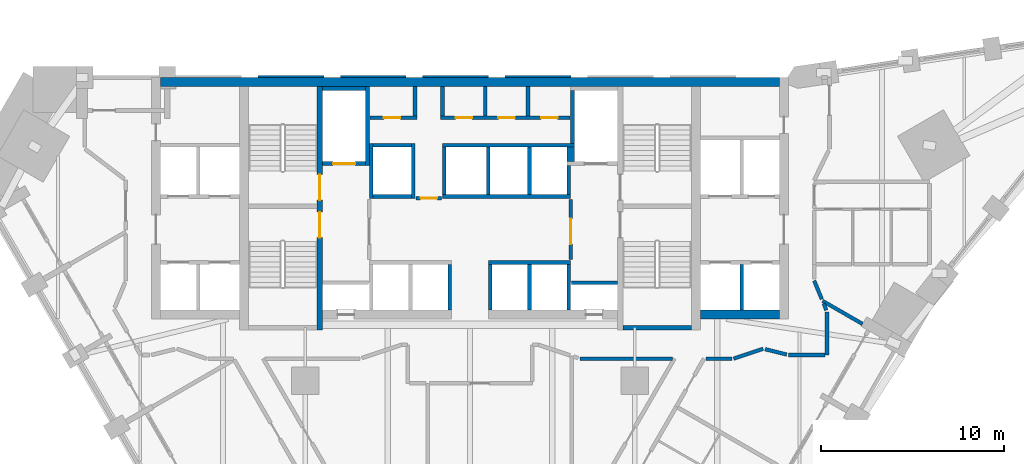
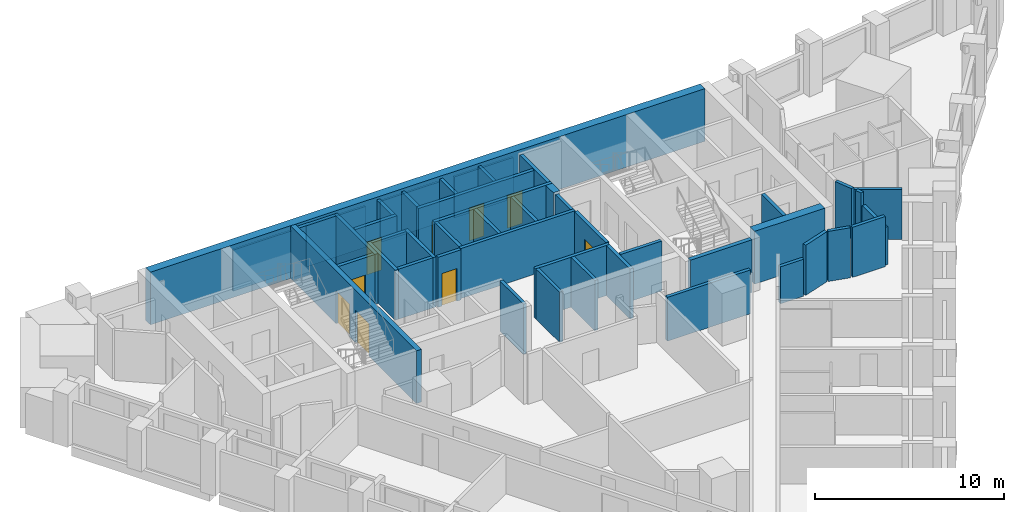
# One storey, part 7 of 11: 47 walls, 9 doors, 9 openings.
"""IFC4 building model written with IfcOpenShell, lengths in metres."""

from ifc_helpers import new_model, si_unit, direction, frame, frame_2d, origin, place, context, subcontext, project, spatial, polyline, rectangle, outline, extrude, material, layer, layer_set, type_object, element, fill, save


model = new_model("IFC4")

# Units and contexts
model_context = context("Model", 3, precision=1e-05, world=origin(), true_north=direction((0.0, 1.0)))
body_context = subcontext(model_context, "Body", "Model", "MODEL_VIEW")
ifc_project = project(units=[si_unit("LENGTHUNIT", "METRE"), si_unit("AREAUNIT", "SQUARE_METRE"), si_unit("VOLUMEUNIT", "CUBIC_METRE"), si_unit("PLANEANGLEUNIT", "RADIAN"), si_unit("MASSUNIT", "GRAM", prefix="KILO")], contexts=[model_context])

# Site, building, storey
site_placement = place(None, origin())
site = spatial("IfcSite", under=ifc_project, at=site_placement, CompositionType="ELEMENT")
building_placement = place(site_placement, origin())
building = spatial("IfcBuilding", under=site, at=building_placement, Name="Calabash Gate Tower", CompositionType="ELEMENT")
storey_placement = place(building_placement, frame((0.0, 0.0, 119.0)))
storey = spatial("IfcBuildingStorey", under=building, at=storey_placement, Name="L27", CompositionType="ELEMENT", Elevation=119.0)

# Walls
ifc_material_1 = material(Name="Gypsum board on steel studs, mineral wool", Category="steel")
ifc_layer_1 = layer(ifc_material_1, 0.199951171875)
ifc_layer_set_1 = layer_set([ifc_layer_1], Name="Core partition 200 gypsum board")
wall_type_1 = type_object("IfcWallType", Name="Core partition 200 gypsum board", PredefinedType="PARTITIONING", material=ifc_layer_set_1)
for number, where, z_axis, x_axis, name in (
    (1, (-3.0, 16.95263671875, 0.0), (0.0, 0.0, 1.0), (0.0, 1.0, 0.0), "Core partition"),
    (2, (-1.5, 16.95263671875, 0.0), (0.0, 0.0, 1.0), (0.0, 1.0, 0.0), "Core partition"),
    (3, (0.833251953125, 16.95263671875, 0.0), (0.0, 0.0, 1.0), (0.0, 1.0, 0.0), "Core partition"),
    (4, (3.166748046875, 16.95263671875, 0.0), (0.0, 0.0, 1.0), (0.0, 1.0, 0.0), "Core partition"),
):
    element("IfcWall", number, at=place(storey_placement, frame(where, z_axis=z_axis, x_axis=x_axis)), inside=storey, type_object=wall_type_1, Name=name, PredefinedType="PARTITIONING", context=body_context, shape_type="SweptSolid", body=[
        extrude(rectangle(XDim=1.599853515625, YDim=0.199951171875, at=frame_2d((0.7998046875, 0.0))), origin(), (0.0, 0.0, 1.0), 3.22998046875),
    ])
ifc_material_2 = material(Name="Concrete C80/95", Category="concrete")
ifc_layer_2 = layer(ifc_material_2, 0.25)
ifc_layer_set_2 = layer_set([ifc_layer_2], Name="Core wall 250 Concrete C80/95")
wall_type_2 = type_object("IfcWallType", Name="Core wall 250 Concrete C80/95", PredefinedType="SHEAR", material=ifc_layer_set_2)
wall_1_placement = place(storey_placement, frame((8.35009765625, 5.377685546875, 0.0), z_axis=(0.0, 0.0, 1.0), x_axis=(1.0, 0.0, 0.0)))
element("IfcWall", 5, at=wall_1_placement, inside=storey, type_object=wall_type_2, Name="Core wall Z2-SSE L27", PredefinedType="SHEAR", context=body_context, shape_type="SweptSolid", body=[
    extrude(rectangle(XDim=3.75, YDim=0.25, at=frame_2d((1.875, 0.0))), origin(), (0.0, 0.0, 1.0), 3.39990234375),
])

# Wall, openings, doors
ifc_material_3 = material(Name="Concrete C80/95", Category="concrete")
ifc_layer_3 = layer(ifc_material_3, 0.300048828125)
ifc_layer_set_3 = layer_set([ifc_layer_3], Name="Core wall 300 Concrete C80/95")
wall_type_3 = type_object("IfcWallType", Name="Core wall 300 Concrete C80/95", PredefinedType="SHEAR", material=ifc_layer_set_3)
wall_2_placement = place(storey_placement, frame((-8.199951171875, 5.252685546875, 0.0), z_axis=(0.0, 0.0, 1.0), x_axis=(0.0, 1.0, 0.0)))
wall_2 = element("IfcWall", 6, at=wall_2_placement, inside=storey, type_object=wall_type_3, Name="Core wall Z2-PARTW L27", PredefinedType="SHEAR", context=body_context, shape_type="SweptSolid", body=[
    extrude(rectangle(XDim=13.2998046875, YDim=0.300048828125, at=frame_2d((6.64990234375, 0.0))), origin(), (0.0, 0.0, 1.0), 3.39990234375),
])
opening_1_placement = place(wall_2_placement, frame((7.10009765625, 0.0, 0.0)))
opening_1 = element("IfcOpeningElement", 7, at=opening_1_placement, cuts=wall_2, Name="Opening H7-014", PredefinedType="OPENING", context=body_context, shape_type="SweptSolid", body=[
    extrude(rectangle(XDim=1.39990234375, YDim=2.10009765625, at=frame_2d((0.699951171875, 1.050048828125))), frame((0.0, 0.159912109375, 0.0), z_axis=(0.0, -1.0, 0.0), x_axis=(1.0, 0.0, 0.0)), (0.0, 0.0, 1.0), 0.320068359375),
])
opening_2_placement = place(wall_2_placement, frame((5.050048828125, 0.0, 0.0)))
opening_2 = element("IfcOpeningElement", 8, at=opening_2_placement, cuts=wall_2, Name="Opening H7-015", PredefinedType="OPENING", context=body_context, shape_type="SweptSolid", body=[
    extrude(rectangle(XDim=1.39990234375, YDim=2.10009765625, at=frame_2d((0.699951171875, 1.050048828125))), frame((0.0, 0.159912109375, 0.0), z_axis=(0.0, -1.0, 0.0), x_axis=(1.0, 0.0, 0.0)), (0.0, 0.0, 1.0), 0.320068359375),
])
ifc_material_4 = material(Name="Steel fire door set with fire-resisting glazing", Category="steel")
door_type_1 = type_object("IfcDoorType", Name="Fire door D05 1400x2100 FD90", OperationType="NOTDEFINED", PredefinedType="DOOR", material=ifc_material_4)
door_1_placement = place(opening_1_placement, origin())
door_1 = element("IfcDoor", 9, at=door_1_placement, inside=storey, type_object=door_type_1, Name="Exit stair door ST1", OperationType="SINGLE_SWING_LEFT", OverallHeight=2.10009765625, OverallWidth=1.39990234375, PredefinedType="DOOR", context=body_context, shape_type="SweptSolid", body=[
    extrude(rectangle(XDim=1.39990234375, YDim=2.10009765625, at=frame_2d((0.699951171875, 1.050048828125))), frame((0.0, 0.02490234375, 0.0), z_axis=(0.0, -1.0, 0.0), x_axis=(1.0, 0.0, 0.0)), (0.0, 0.0, 1.0), 0.050048828125),
])
fill(opening_1, door_1)
door_2_placement = place(opening_2_placement, origin())
door_2 = element("IfcDoor", 10, at=door_2_placement, inside=storey, type_object=door_type_1, Name="Exit stair door ST2", OperationType="SINGLE_SWING_LEFT", OverallHeight=2.10009765625, OverallWidth=1.39990234375, PredefinedType="DOOR", context=body_context, shape_type="SweptSolid", body=[
    extrude(rectangle(XDim=1.39990234375, YDim=2.10009765625, at=frame_2d((0.699951171875, 1.050048828125))), frame((0.0, 0.02490234375, 0.0), z_axis=(0.0, -1.0, 0.0), x_axis=(1.0, 0.0, 0.0)), (0.0, 0.0, 1.0), 0.050048828125),
])
fill(opening_2, door_2)

# Walls
ifc_material_5 = material(Name="Concrete C80/95", Category="concrete")
ifc_layer_4 = layer(ifc_material_5, 0.5)
ifc_layer_set_4 = layer_set([ifc_layer_4], Name="Core wall 500 Concrete C80/95")
wall_type_4 = type_object("IfcWallType", Name="Core wall 500 Concrete C80/95", PredefinedType="SHEAR", material=ifc_layer_set_4)
wall_3_placement = place(storey_placement, frame((-16.89990234375, 18.802490234375, 0.0), z_axis=(0.0, 0.0, 1.0), x_axis=(1.0, 0.0, 0.0)))
element("IfcWall", 11, at=wall_3_placement, inside=storey, type_object=wall_type_4, Name="Core wall Z2-N L27", PredefinedType="SHEAR", context=body_context, shape_type="SweptSolid", body=[
    extrude(rectangle(XDim=33.7998046875, YDim=0.5, at=frame_2d((16.89990234375, 0.0))), origin(), (0.0, 0.0, 1.0), 3.39990234375),
])
wall_4_placement = place(storey_placement, frame((12.60009765625, 6.1025390625, 0.0), z_axis=(0.0, 0.0, 1.0), x_axis=(1.0, 0.0, 0.0)))
element("IfcWall", 12, at=wall_4_placement, inside=storey, type_object=wall_type_4, Name="Core wall Z2-SE L27", PredefinedType="SHEAR", context=body_context, shape_type="SweptSolid", body=[
    extrude(rectangle(XDim=4.2998046875, YDim=0.5, at=frame_2d((2.14990234375, 0.0))), origin(), (0.0, 0.0, 1.0), 3.39990234375),
])
ifc_material_6 = material(Name="Gypsum board on steel studs, mineral wool", Category="steel")
ifc_layer_5 = layer(ifc_material_6, 0.199951171875)
ifc_layer_set_5 = layer_set([ifc_layer_5], Name="Partition 200 gypsum board EI 60")
wall_type_5 = type_object("IfcWallType", Name="Partition 200 gypsum board EI 60", PredefinedType="PARTITIONING", material=ifc_layer_set_5)
wall_5_placement = place(storey_placement, frame((6.0, 3.69970703125, 0.0), z_axis=(0.0, 0.0, 1.0), x_axis=(1.0, 0.0, 0.0)))
element("IfcWall", 13, at=wall_5_placement, inside=storey, type_object=wall_type_5, Name="Partition", PredefinedType="PARTITIONING", context=body_context, shape_type="SweptSolid", body=[
    extrude(rectangle(XDim=5.064697265625, YDim=0.199951171875, at=frame_2d((2.5322265625, 0.0))), origin(), (0.0, 0.0, 1.0), 2.83154296875),
])
wall_6_placement = place(storey_placement, frame((12.8818359375, 3.699462890625, 0.0), z_axis=(0.0, 0.0, 1.0), x_axis=(1.0, 0.0, 0.0)))
element("IfcWall", 14, at=wall_6_placement, inside=storey, type_object=wall_type_5, Name="Partition", PredefinedType="PARTITIONING", context=body_context, shape_type="SweptSolid", body=[
    extrude(rectangle(XDim=1.418212890625, YDim=0.199951171875, at=frame_2d((0.708984375, 0.0))), origin(), (0.0, 0.0, 1.0), 2.384033203125),
])
wall_7_placement = place(storey_placement, frame((17.39990234375, 3.8994140625, 0.0), z_axis=(0.0, 0.0, 1.0), x_axis=(0.999999992551, 0.000122055412, 0.0)))
element("IfcWall", 15, at=wall_7_placement, inside=storey, type_object=wall_type_5, Name="Partition", PredefinedType="PARTITIONING", context=body_context, shape_type="SweptSolid", body=[
    extrude(rectangle(XDim=2.000244140625, YDim=0.199951171875, at=frame_2d((1.0, 0.0))), origin(), (0.0, 0.0, 1.0), 3.22998046875),
])
wall_8_placement = place(storey_placement, frame((16.11328125, 4.21435546875, 0.0), z_axis=(0.0, 0.0, 1.0), x_axis=(0.971349931971, -0.237653760039, 0.0)))
element("IfcWall", 16, at=wall_8_placement, inside=storey, type_object=wall_type_5, Name="Partition", PredefinedType="PARTITIONING", context=body_context, shape_type="SweptSolid", body=[
    extrude(rectangle(XDim=1.224609375, YDim=0.199951171875, at=frame_2d((0.6123046875, 0.0))), origin(), (0.0, 0.0, 1.0), 3.22998046875),
])
wall_9_placement = place(storey_placement, frame((14.400146484375, 3.699462890625, 0.0), z_axis=(0.0, 0.0, 1.0), x_axis=(0.948654629562, 0.31631375849, 0.0)))
element("IfcWall", 17, at=wall_9_placement, inside=storey, type_object=wall_type_5, Name="Partition", PredefinedType="PARTITIONING", context=body_context, shape_type="SweptSolid", body=[
    extrude(rectangle(XDim=1.703369140625, YDim=0.199951171875, at=frame_2d((0.8515625, 0.0))), origin(), (0.0, 0.0, 1.0), 3.22998046875),
])
wall_10_placement = place(storey_placement, frame((19.25537109375, 6.85205078125, 0.0), z_axis=(0.0, 0.0, 1.0), x_axis=(0.866364592695, -0.499412046835, 0.0)))
element("IfcWall", 18, at=wall_10_placement, inside=storey, type_object=wall_type_5, Name="Partition", PredefinedType="PARTITIONING", context=body_context, shape_type="SweptSolid", body=[
    extrude(rectangle(XDim=2.51953125, YDim=0.199951171875, at=frame_2d((1.259765625, 0.0))), origin(), (0.0, 0.0, 1.0), 3.22998046875),
])
wall_11_placement = place(storey_placement, frame((19.500244140625, 3.899658203125, 0.0), z_axis=(0.0, 0.0, 1.0), x_axis=(0.000103755965, 0.999999994617, 0.0)))
element("IfcWall", 19, at=wall_11_placement, inside=storey, type_object=wall_type_5, Name="Partition", PredefinedType="PARTITIONING", context=body_context, shape_type="SweptSolid", body=[
    extrude(rectangle(XDim=2.35302734375, YDim=0.199951171875, at=frame_2d((1.176513671875, 0.0))), origin(), (0.0, 0.0, 1.0), 2.4501953125),
])
wall_12_placement = place(storey_placement, frame((19.317138671875, 6.700927734375, 0.0), z_axis=(0.0, 0.0, 1.0), x_axis=(0.378608110245, -0.925557074878, 0.0)))
element("IfcWall", 20, at=wall_12_placement, inside=storey, type_object=wall_type_5, Name="Partition", PredefinedType="PARTITIONING", context=body_context, shape_type="SweptSolid", body=[
    extrude(rectangle(XDim=0.38427734375, YDim=0.199951171875, at=frame_2d((0.192138671875, 0.0))), origin(), (0.0, 0.0, 1.0), 3.22998046875),
])
wall_13_placement = place(storey_placement, frame((18.800537109375, 7.95263671875, 0.0), z_axis=(0.0, 0.0, 1.0), x_axis=(0.381856038323, -0.924221816447, 0.0)))
element("IfcWall", 21, at=wall_13_placement, inside=storey, type_object=wall_type_5, Name="Partition", PredefinedType="PARTITIONING", context=body_context, shape_type="SweptSolid", body=[
    extrude(rectangle(XDim=1.087646484375, YDim=0.199951171875, at=frame_2d((0.5439453125, 0.0))), origin(), (0.0, 0.0, 1.0), 3.22998046875),
])
ifc_material_7 = material(Name="Concrete C40/50", Category="concrete")
ifc_layer_6 = layer(ifc_material_7, 0.199951171875)
ifc_layer_set_6 = layer_set([ifc_layer_6], Name="Shaft wall 200 Concrete C40/50")
wall_type_6 = type_object("IfcWallType", Name="Shaft wall 200 Concrete C40/50", PredefinedType="SOLIDWALL", material=ifc_layer_set_6)
for number, where, z_axis, x_axis, name in (
    (22, (-1.10009765625, 6.3525390625, 0.0), (0.0, 0.0, 1.0), (0.0, 1.0, 0.0), "Shaft wall"),
    (23, (1.10009765625, 6.3525390625, 0.0), (0.0, 0.0, 1.0), (0.0, 1.0, 0.0), "Shaft wall"),
    (24, (3.25, 6.3525390625, 0.0), (0.0, 0.0, 1.0), (0.0, 1.0, 0.0), "Shaft wall"),
    (25, (5.39990234375, 6.3525390625, 0.0), (0.0, 0.0, 1.0), (0.0, 1.0, 0.0), "Shaft wall"),
    (26, (14.85009765625, 6.3525390625, 0.0), (0.0, 0.0, 1.0), (0.0, 1.0, 0.0), "Shaft wall"),
    (27, (5.550048828125, 7.8525390625, 0.0), (0.0, 0.0, 1.0), (1.0, 0.0, 0.0), "Shaft wall"),
):
    element("IfcWall", number, at=place(storey_placement, frame(where, z_axis=z_axis, x_axis=x_axis)), inside=storey, type_object=wall_type_6, Name=name, PredefinedType="SOLIDWALL", context=body_context, shape_type="SweptSolid", body=[
        extrude(rectangle(XDim=2.5, YDim=0.199951171875, at=frame_2d((1.25, 0.0))), origin(), (0.0, 0.0, 1.0), 3.22998046875),
    ])
wall_14_placement = place(storey_placement, frame((1.0, 8.95263671875, 0.0), z_axis=(0.0, 0.0, 1.0), x_axis=(1.0, 0.0, 0.0)))
element("IfcWall", 28, at=wall_14_placement, inside=storey, type_object=wall_type_6, Name="Shaft wall", PredefinedType="SOLIDWALL", context=body_context, shape_type="SweptSolid", body=[
    extrude(rectangle(XDim=4.5, YDim=0.199951171875, at=frame_2d((2.25, 0.0))), origin(), (0.0, 0.0, 1.0), 3.22998046875),
])

# Wall, opening, door
wall_15_placement = place(storey_placement, frame((5.5, 9.1025390625, 0.0), z_axis=(0.0, 0.0, 1.0), x_axis=(0.0, 1.0, 0.0)))
wall_15 = element("IfcWall", 29, at=wall_15_placement, inside=storey, type_object=wall_type_6, Name="Shaft wall", PredefinedType="SOLIDWALL", context=body_context, shape_type="SweptSolid", body=[
    extrude(rectangle(XDim=3.300048828125, YDim=0.199951171875, at=frame_2d((1.64990234375, 0.0))), origin(), (0.0, 0.0, 1.0), 3.22998046875),
])
opening_3_placement = place(wall_15_placement, frame((0.85009765625, 0.0, 0.0)))
opening_3 = element("IfcOpeningElement", 30, at=opening_3_placement, cuts=wall_15, Name="Opening H7-006", PredefinedType="OPENING", context=body_context, shape_type="SweptSolid", body=[
    extrude(rectangle(XDim=1.39990234375, YDim=2.10009765625, at=frame_2d((0.699951171875, 1.050048828125))), frame((0.0, 0.10986328125, 0.0), z_axis=(0.0, -1.0, 0.0), x_axis=(1.0, 0.0, 0.0)), (0.0, 0.0, 1.0), 0.219970703125),
])
door_3_placement = place(opening_3_placement, origin())
door_3 = element("IfcDoor", 31, at=door_3_placement, inside=storey, type_object=door_type_1, Name="Firefighting Lobby E door", OperationType="SINGLE_SWING_LEFT", OverallHeight=2.10009765625, OverallWidth=1.39990234375, PredefinedType="DOOR", context=body_context, shape_type="SweptSolid", body=[
    extrude(rectangle(XDim=1.39990234375, YDim=2.10009765625, at=frame_2d((0.699951171875, 1.050048828125))), frame((0.0, 0.02490234375, 0.0), z_axis=(0.0, -1.0, 0.0), x_axis=(1.0, 0.0, 0.0)), (0.0, 0.0, 1.0), 0.050048828125),
])
fill(opening_3, door_3)

wall_16_placement = place(storey_placement, frame((-2.949951171875, 12.45263671875, 0.0), z_axis=(0.0, 0.0, 1.0), x_axis=(1.0, 0.0, 0.0)))
wall_16 = element("IfcWall", 32, at=wall_16_placement, inside=storey, type_object=wall_type_6, Name="Shaft wall", PredefinedType="SOLIDWALL", context=body_context, shape_type="SweptSolid", body=[
    extrude(rectangle(XDim=1.39990234375, YDim=0.199951171875, at=frame_2d((0.699951171875, 0.0))), origin(), (0.0, 0.0, 1.0), 3.22998046875),
])
opening_4_placement = place(wall_16_placement, frame((0.25, 0.0, 0.0)))
opening_4 = element("IfcOpeningElement", 33, at=opening_4_placement, cuts=wall_16, Name="Opening H7-005", PredefinedType="OPENING", context=body_context, shape_type="SweptSolid", body=[
    extrude(rectangle(XDim=0.89990234375, YDim=2.10009765625, at=frame_2d((0.449951171875, 1.050048828125))), frame((0.0, 0.10986328125, 0.0), z_axis=(0.0, -1.0, 0.0), x_axis=(1.0, 0.0, 0.0)), (0.0, 0.0, 1.0), 0.219970703125),
])
ifc_material_8 = material(Name="Steel fire door set with fire-resisting glazing", Category="steel")
door_type_2 = type_object("IfcDoorType", Name="Fire door D06 900x2100 FD60", OperationType="NOTDEFINED", PredefinedType="DOOR", material=ifc_material_8)
door_4_placement = place(opening_4_placement, origin())
door_4 = element("IfcDoor", 34, at=door_4_placement, inside=storey, type_object=door_type_2, Name="Service Corridor door", OperationType="SINGLE_SWING_RIGHT", OverallHeight=2.10009765625, OverallWidth=0.89990234375, PredefinedType="DOOR", context=body_context, shape_type="SweptSolid", body=[
    extrude(rectangle(XDim=0.89990234375, YDim=2.10009765625, at=frame_2d((0.449951171875, 1.050048828125))), frame((0.0, 0.02490234375, 0.0), z_axis=(0.0, -1.0, 0.0), x_axis=(1.0, 0.0, 0.0)), (0.0, 0.0, 1.0), 0.050048828125),
])
fill(opening_4, door_4)

# Walls
wall_17_placement = place(storey_placement, frame((-5.39990234375, 12.45263671875, 0.0), z_axis=(0.0, 0.0, 1.0), x_axis=(0.0, 1.0, 0.0)))
element("IfcWall", 35, at=wall_17_placement, inside=storey, type_object=wall_type_6, Name="Shaft wall", PredefinedType="SOLIDWALL", context=body_context, shape_type="SweptSolid", body=[
    extrude(rectangle(XDim=3.0, YDim=0.199951171875, at=frame_2d((1.5, 0.0))), origin(), (0.0, 0.0, 1.0), 3.22998046875),
])
wall_18_placement = place(storey_placement, frame((-5.300048828125, 12.552490234375, 0.0), z_axis=(0.0, 0.0, 1.0), x_axis=(1.0, 0.0, 0.0)))
element("IfcWall", 36, at=wall_18_placement, inside=storey, type_object=wall_type_6, Name="Shaft wall", PredefinedType="SOLIDWALL", context=body_context, shape_type="SweptSolid", body=[
    extrude(rectangle(XDim=2.10009765625, YDim=0.199951171875, at=frame_2d((1.050048828125, 0.0))), origin(), (0.0, 0.0, 1.0), 3.22998046875),
])
wall_19_placement = place(storey_placement, frame((-3.10009765625, 12.45263671875, 0.0), z_axis=(0.0, 0.0, 1.0), x_axis=(0.0, 1.0, 0.0)))
element("IfcWall", 37, at=wall_19_placement, inside=storey, type_object=wall_type_6, Name="Shaft wall", PredefinedType="SOLIDWALL", context=body_context, shape_type="SweptSolid", body=[
    extrude(rectangle(XDim=3.0, YDim=0.199951171875, at=frame_2d((1.5, 0.0))), origin(), (0.0, 0.0, 1.0), 3.22998046875),
])
wall_20_placement = place(storey_placement, frame((-1.5, 12.552490234375, 0.0), z_axis=(0.0, 0.0, 1.0), x_axis=(1.0, 0.0, 0.0)))
element("IfcWall", 38, at=wall_20_placement, inside=storey, type_object=wall_type_6, Name="Shaft wall", PredefinedType="SOLIDWALL", context=body_context, shape_type="SweptSolid", body=[
    extrude(rectangle(XDim=7.0, YDim=0.199951171875, at=frame_2d((3.5, 0.0))), origin(), (0.0, 0.0, 1.0), 3.22998046875),
])
for number, where, z_axis, x_axis, name in (
    (39, (-1.39990234375, 12.652587890625, 0.0), (0.0, 0.0, 1.0), (0.0, 1.0, 0.0), "Shaft wall"),
    (40, (1.0, 12.652587890625, 0.0), (0.0, 0.0, 1.0), (0.0, 1.0, 0.0), "Shaft wall"),
    (41, (3.25, 12.652587890625, 0.0), (0.0, 0.0, 1.0), (0.0, 1.0, 0.0), "Shaft wall"),
):
    element("IfcWall", number, at=place(storey_placement, frame(where, z_axis=z_axis, x_axis=x_axis)), inside=storey, type_object=wall_type_6, Name=name, PredefinedType="SOLIDWALL", context=body_context, shape_type="SweptSolid", body=[
        extrude(rectangle(XDim=2.60009765625, YDim=0.199951171875, at=frame_2d((1.300048828125, 0.0))), origin(), (0.0, 0.0, 1.0), 3.22998046875),
    ])
wall_21_placement = place(storey_placement, frame((5.39990234375, 12.652587890625, 0.0), z_axis=(0.0, 0.0, 1.0), x_axis=(0.0, 1.0, 0.0)))
element("IfcWall", 42, at=wall_21_placement, inside=storey, type_object=wall_type_6, Name="Shaft wall", PredefinedType="SOLIDWALL", context=body_context, shape_type="SweptSolid", body=[
    extrude(rectangle(XDim=1.60009765625, YDim=0.199951171875, at=frame_2d((0.800048828125, 0.0))), origin(), (0.0, 0.0, 1.0), 3.22998046875),
])

# Wall, opening, door
wall_22_placement = place(storey_placement, frame((-8.050048828125, 14.3525390625, 0.0), z_axis=(0.0, 0.0, 1.0), x_axis=(1.0, 0.0, 0.0)))
wall_22 = element("IfcWall", 43, at=wall_22_placement, inside=storey, type_object=wall_type_6, Name="Shaft wall", PredefinedType="SOLIDWALL", context=body_context, shape_type="SweptSolid", body=[
    extrude(rectangle(XDim=2.35009765625, YDim=0.199951171875, at=frame_2d((1.175048828125, 0.0))), origin(), (0.0, 0.0, 1.0), 3.22998046875),
])
opening_5_placement = place(wall_22_placement, frame((0.574951171875, 0.0, 0.0)))
opening_5 = element("IfcOpeningElement", 44, at=opening_5_placement, cuts=wall_22, Name="Opening LD-FF1", PredefinedType="OPENING", context=body_context, shape_type="SweptSolid", body=[
    extrude(rectangle(XDim=1.199951171875, YDim=2.10009765625, at=frame_2d((0.60009765625, 1.050048828125))), frame((0.0, 0.10986328125, 0.0), z_axis=(0.0, -1.0, 0.0), x_axis=(1.0, 0.0, 0.0)), (0.0, 0.0, 1.0), 0.219970703125),
])
ifc_material_9 = material(Name="Stainless steel sliding door leaves", Category="steel")
door_type_3 = type_object("IfcDoorType", Name="Lift landing door LS3 1200x2100 FD90", OperationType="DOUBLE_DOOR_SLIDING", PredefinedType="DOOR", material=ifc_material_9)
door_5_placement = place(opening_5_placement, origin())
door_5 = element("IfcDoor", 45, at=door_5_placement, inside=storey, type_object=door_type_3, Name="Lift landing door FF1", OperationType="DOUBLE_DOOR_SLIDING", OverallHeight=2.10009765625, OverallWidth=1.199951171875, PredefinedType="DOOR", context=body_context, shape_type="SweptSolid", body=[
    extrude(rectangle(XDim=1.199951171875, YDim=2.10009765625, at=frame_2d((0.60009765625, 1.050048828125))), frame((0.0, 0.02490234375, 0.0), z_axis=(0.0, -1.0, 0.0), x_axis=(1.0, 0.0, 0.0)), (0.0, 0.0, 1.0), 0.050048828125),
])
fill(opening_5, door_5)

# Walls
wall_23_placement = place(storey_placement, frame((-5.60009765625, 14.252685546875, 0.0), z_axis=(0.0, 0.0, 1.0), x_axis=(0.0, 1.0, 0.0)))
element("IfcWall", 46, at=wall_23_placement, inside=storey, type_object=wall_type_6, Name="Shaft wall", PredefinedType="SOLIDWALL", context=body_context, shape_type="SweptSolid", body=[
    extrude(rectangle(XDim=4.2998046875, YDim=0.199951171875, at=frame_2d((2.14990234375, 0.0))), origin(), (0.0, 0.0, 1.0), 3.22998046875),
])
wall_24_placement = place(storey_placement, frame((5.5, 14.45263671875, 0.0), z_axis=(0.0, 0.0, 1.0), x_axis=(0.0, 1.0, 0.0)))
element("IfcWall", 47, at=wall_24_placement, inside=storey, type_object=wall_type_6, Name="Shaft wall", PredefinedType="SOLIDWALL", context=body_context, shape_type="SweptSolid", body=[
    extrude(rectangle(XDim=0.800048828125, YDim=0.39990234375, at=frame_2d((0.39990234375, 0.0))), origin(), (0.0, 0.0, 1.0), 3.22998046875),
])
wall_25_placement = place(storey_placement, frame((-5.300048828125, 15.3525390625, 0.0), z_axis=(0.0, 0.0, 1.0), x_axis=(1.0, 0.0, 0.0)))
element("IfcWall", 48, at=wall_25_placement, inside=storey, type_object=wall_type_6, Name="Shaft wall", PredefinedType="SOLIDWALL", context=body_context, shape_type="SweptSolid", body=[
    extrude(rectangle(XDim=2.10009765625, YDim=0.199951171875, at=frame_2d((1.050048828125, 0.0))), origin(), (0.0, 0.0, 1.0), 3.22998046875),
])
wall_26_placement = place(storey_placement, frame((-1.5, 15.3525390625, 0.0), z_axis=(0.0, 0.0, 1.0), x_axis=(1.0, 0.0, 0.0)))
element("IfcWall", 49, at=wall_26_placement, inside=storey, type_object=wall_type_6, Name="Shaft wall", PredefinedType="SOLIDWALL", context=body_context, shape_type="SweptSolid", body=[
    extrude(rectangle(XDim=7.199951171875, YDim=0.199951171875, at=frame_2d((3.60009765625, 0.0))), origin(), (0.0, 0.0, 1.0), 3.22998046875),
])
wall_27_placement = place(storey_placement, frame((5.60009765625, 15.45263671875, 0.0), z_axis=(0.0, 0.0, 1.0), x_axis=(0.0, 1.0, 0.0)))
element("IfcWall", 50, at=wall_27_placement, inside=storey, type_object=wall_type_6, Name="Shaft wall", PredefinedType="SOLIDWALL", context=body_context, shape_type="SweptSolid", body=[
    extrude(rectangle(XDim=2.89990234375, YDim=0.199951171875, at=frame_2d((1.449951171875, 0.0))), origin(), (0.0, 0.0, 1.0), 3.22998046875),
])

# Wall, opening, door
wall_28_placement = place(storey_placement, frame((-5.449951171875, 16.8525390625, 0.0), z_axis=(0.0, 0.0, 1.0), x_axis=(1.0, 0.0, 0.0)))
wall_28 = element("IfcWall", 51, at=wall_28_placement, inside=storey, type_object=wall_type_6, Name="Shaft wall", PredefinedType="SOLIDWALL", context=body_context, shape_type="SweptSolid", body=[
    extrude(rectangle(XDim=2.550048828125, YDim=0.199951171875, at=frame_2d((1.27490234375, 0.0))), origin(), (0.0, 0.0, 1.0), 3.22998046875),
])
opening_6_placement = place(wall_28_placement, frame((0.75, 0.0, 0.0)))
opening_6 = element("IfcOpeningElement", 52, at=opening_6_placement, cuts=wall_28, Name="Opening H7-008", PredefinedType="OPENING", context=body_context, shape_type="SweptSolid", body=[
    extrude(rectangle(XDim=0.89990234375, YDim=2.10009765625, at=frame_2d((0.449951171875, 1.050048828125))), frame((0.0, 0.10986328125, 0.0), z_axis=(0.0, -1.0, 0.0), x_axis=(1.0, 0.0, 0.0)), (0.0, 0.0, 1.0), 0.219970703125),
])
door_6_placement = place(opening_6_placement, origin())
door_6 = element("IfcDoor", 53, at=door_6_placement, inside=storey, type_object=door_type_2, Name="Housekeeping Store door", OperationType="SINGLE_SWING_LEFT", OverallHeight=2.10009765625, OverallWidth=0.89990234375, PredefinedType="DOOR", context=body_context, shape_type="SweptSolid", body=[
    extrude(rectangle(XDim=0.89990234375, YDim=2.10009765625, at=frame_2d((0.449951171875, 1.050048828125))), frame((0.0, 0.02490234375, 0.0), z_axis=(0.0, -1.0, 0.0), x_axis=(1.0, 0.0, 0.0)), (0.0, 0.0, 1.0), 0.050048828125),
])
fill(opening_6, door_6)

# Wall, openings, doors
wall_29_placement = place(storey_placement, frame((-1.60009765625, 16.8525390625, 0.0), z_axis=(0.0, 0.0, 1.0), x_axis=(1.0, 0.0, 0.0)))
wall_29 = element("IfcWall", 54, at=wall_29_placement, inside=storey, type_object=wall_type_6, Name="Shaft wall", PredefinedType="SOLIDWALL", context=body_context, shape_type="SweptSolid", body=[
    extrude(rectangle(XDim=7.050048828125, YDim=0.199951171875, at=frame_2d((3.52490234375, 0.0))), origin(), (0.0, 0.0, 1.0), 3.22998046875),
])
opening_7_placement = place(wall_29_placement, frame((0.816650390625, 0.0, 0.0)))
opening_7 = element("IfcOpeningElement", 55, at=opening_7_placement, cuts=wall_29, Name="Opening H7-009", PredefinedType="OPENING", context=body_context, shape_type="SweptSolid", body=[
    extrude(rectangle(XDim=0.89990234375, YDim=2.10009765625, at=frame_2d((0.449951171875, 1.050048828125))), frame((0.0, 0.10986328125, 0.0), z_axis=(0.0, -1.0, 0.0), x_axis=(1.0, 0.0, 0.0)), (0.0, 0.0, 1.0), 0.219970703125),
])
opening_8_placement = place(wall_29_placement, frame((3.14990234375, 0.0, 0.0)))
opening_8 = element("IfcOpeningElement", 56, at=opening_8_placement, cuts=wall_29, Name="Opening H7-010", PredefinedType="OPENING", context=body_context, shape_type="SweptSolid", body=[
    extrude(rectangle(XDim=0.89990234375, YDim=2.10009765625, at=frame_2d((0.449951171875, 1.050048828125))), frame((0.0, 0.10986328125, 0.0), z_axis=(0.0, -1.0, 0.0), x_axis=(1.0, 0.0, 0.0)), (0.0, 0.0, 1.0), 0.219970703125),
])
opening_9_placement = place(wall_29_placement, frame((5.4833984375, 0.0, 0.0)))
opening_9 = element("IfcOpeningElement", 57, at=opening_9_placement, cuts=wall_29, Name="Opening H7-011", PredefinedType="OPENING", context=body_context, shape_type="SweptSolid", body=[
    extrude(rectangle(XDim=0.89990234375, YDim=2.10009765625, at=frame_2d((0.449951171875, 1.050048828125))), frame((0.0, 0.10986328125, 0.0), z_axis=(0.0, -1.0, 0.0), x_axis=(1.0, 0.0, 0.0)), (0.0, 0.0, 1.0), 0.219970703125),
])
door_7_placement = place(opening_7_placement, origin())
door_7 = element("IfcDoor", 58, at=door_7_placement, inside=storey, type_object=door_type_2, Name="Linen Store door", OperationType="SINGLE_SWING_LEFT", OverallHeight=2.10009765625, OverallWidth=0.89990234375, PredefinedType="DOOR", context=body_context, shape_type="SweptSolid", body=[
    extrude(rectangle(XDim=0.89990234375, YDim=2.10009765625, at=frame_2d((0.449951171875, 1.050048828125))), frame((0.0, 0.02490234375, 0.0), z_axis=(0.0, -1.0, 0.0), x_axis=(1.0, 0.0, 0.0)), (0.0, 0.0, 1.0), 0.050048828125),
])
fill(opening_7, door_7)
door_8_placement = place(opening_8_placement, origin())
door_8 = element("IfcDoor", 59, at=door_8_placement, inside=storey, type_object=door_type_2, Name="Ice and Vending door", OperationType="SINGLE_SWING_LEFT", OverallHeight=2.10009765625, OverallWidth=0.89990234375, PredefinedType="DOOR", context=body_context, shape_type="SweptSolid", body=[
    extrude(rectangle(XDim=0.89990234375, YDim=2.10009765625, at=frame_2d((0.449951171875, 1.050048828125))), frame((0.0, 0.02490234375, 0.0), z_axis=(0.0, -1.0, 0.0), x_axis=(1.0, 0.0, 0.0)), (0.0, 0.0, 1.0), 0.050048828125),
])
fill(opening_8, door_8)
door_9_placement = place(opening_9_placement, origin())
door_9 = element("IfcDoor", 60, at=door_9_placement, inside=storey, type_object=door_type_2, Name="Cleaner's Store door", OperationType="SINGLE_SWING_RIGHT", OverallHeight=2.10009765625, OverallWidth=0.89990234375, PredefinedType="DOOR", context=body_context, shape_type="SweptSolid", body=[
    extrude(rectangle(XDim=0.89990234375, YDim=2.10009765625, at=frame_2d((0.449951171875, 1.050048828125))), frame((0.0, 0.02490234375, 0.0), z_axis=(0.0, -1.0, 0.0), x_axis=(1.0, 0.0, 0.0)), (0.0, 0.0, 1.0), 0.050048828125),
])
fill(opening_9, door_9)

# Walls
wall_30_placement = place(storey_placement, frame((-8.050048828125, 18.45263671875, 0.0), z_axis=(0.0, 0.0, 1.0), x_axis=(1.0, 0.0, 0.0)))
element("IfcWall", 61, at=wall_30_placement, inside=storey, type_object=wall_type_6, Name="Shaft wall", PredefinedType="SOLIDWALL", context=body_context, shape_type="SweptSolid", body=[
    extrude(rectangle(XDim=2.35009765625, YDim=0.199951171875, at=frame_2d((1.175048828125, 0.0))), origin(), (0.0, 0.0, 1.0), 3.22998046875),
])
ifc_material_10 = material(Name="Terracotta brick masonry, perforated", Category="masonry")
ifc_layer_7 = layer(ifc_material_10, 0.1201171875)
ifc_layer_set_7 = layer_set([ifc_layer_7], Name="Terracotta jaali cladding A 120")
wall_type_7 = type_object("IfcWallType", Name="Terracotta jaali cladding A 120", PredefinedType="SOLIDWALL", material=ifc_layer_set_7)
wall_31_placement = place(storey_placement, origin())
element("IfcWall", 62, at=wall_31_placement, inside=storey, type_object=wall_type_7, Name="Jaali cladding S07 N6.3", PredefinedType="SOLIDWALL", context=body_context, shape_type="SweptSolid", body=[
    extrude(outline(polyline([(1.9169921875, 19.172607421875), (1.9169921875, 19.052490234375), (5.51708984375, 19.052490234375), (5.51708984375, 19.172607421875), (1.9169921875, 19.172607421875)])), origin(), (0.0, 0.0, 1.0), 2.64990234375),
])
wall_32_placement = place(storey_placement, origin())
element("IfcWall", 63, at=wall_32_placement, inside=storey, type_object=wall_type_7, Name="Jaali cladding S07 N6.5", PredefinedType="SOLIDWALL", context=body_context, shape_type="SweptSolid", body=[
    extrude(outline(polyline([(-7.0830078125, 19.172607421875), (-7.0830078125, 19.052490234375), (-3.48291015625, 19.052490234375), (-3.48291015625, 19.172607421875), (-7.0830078125, 19.172607421875)])), origin(), (0.0, 0.0, 1.0), 2.64990234375),
])
ifc_material_11 = material(Name="Terracotta louvre blades in an aluminium frame", Category="masonry")
ifc_layer_8 = layer(ifc_material_11, 0.1201171875)
ifc_layer_set_8 = layer_set([ifc_layer_8], Name="Terracotta vent louvre cladding 120")
wall_type_8 = type_object("IfcWallType", Name="Terracotta vent louvre cladding 120", PredefinedType="ELEMENTEDWALL", material=ifc_layer_set_8)
wall_33_placement = place(storey_placement, origin())
element("IfcWall", 64, at=wall_33_placement, inside=storey, type_object=wall_type_8, Name="Vent louvre cladding S07 N6.4", PredefinedType="ELEMENTEDWALL", context=body_context, shape_type="SweptSolid", body=[
    extrude(outline(polyline([(-2.5830078125, 19.172607421875), (-2.5830078125, 19.052490234375), (1.01708984375, 19.052490234375), (1.01708984375, 19.172607421875), (-2.5830078125, 19.172607421875)])), origin(), (0.0, 0.0, 1.0), 2.64990234375),
])
wall_34_placement = place(storey_placement, origin())
element("IfcWall", 65, at=wall_34_placement, inside=storey, type_object=wall_type_8, Name="Vent louvre cladding S07 N6.6", PredefinedType="ELEMENTEDWALL", context=body_context, shape_type="SweptSolid", body=[
    extrude(outline(polyline([(-11.5830078125, 19.172607421875), (-11.5830078125, 19.052490234375), (-7.98291015625, 19.052490234375), (-7.98291015625, 19.172607421875), (-11.5830078125, 19.172607421875)])), origin(), (0.0, 0.0, 1.0), 2.64990234375),
])

save(model, "model.ifc")
